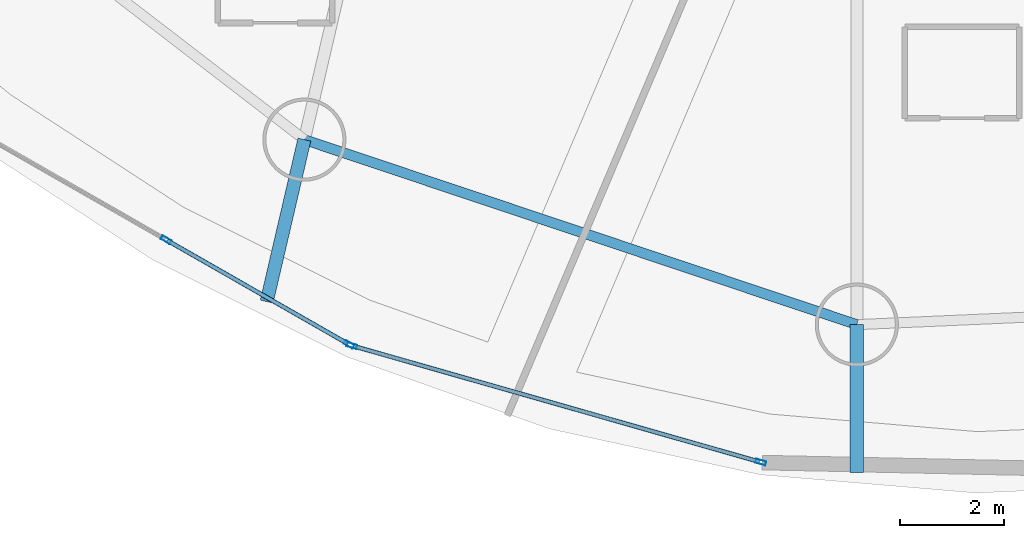
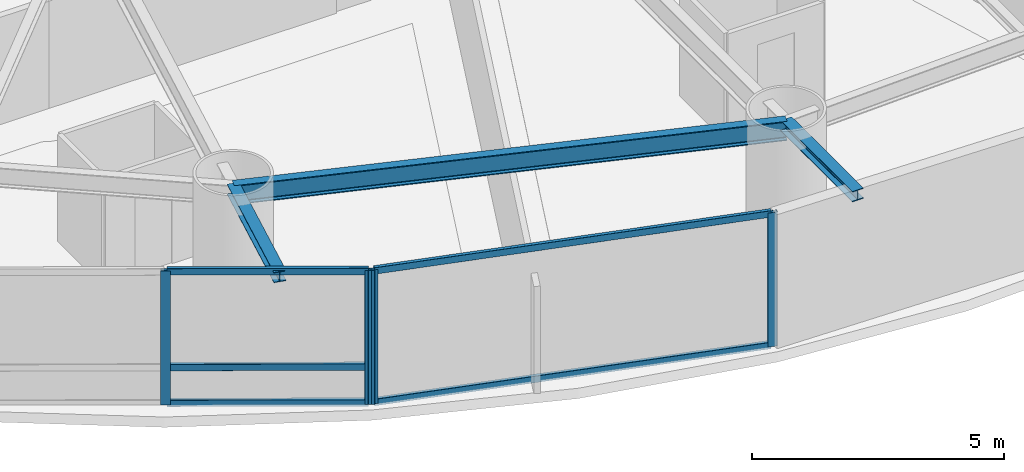
# One storey, part 3 of 23: 9 members, 3 beams, 2 elements without a shape of their own.
"""IFC4 building model written with IfcOpenShell, lengths in metres."""

from ifc_helpers import new_model, si_unit, direction, frame, origin, origin_2d, place, context, subcontext, project, spatial, hollow_rectangle, i_section, extrude, material, layer, layer_set, material_profile, profile_set, type_object, element, aggregate, save


model = new_model("IFC4")

# Units and contexts
model_context = context("Model", 3, precision=1e-05, world=origin(), true_north=direction((0.0, 1.0)))
body_context = subcontext(model_context, "Body", "Model", "MODEL_VIEW")
ifc_project = project(units=[si_unit("LENGTHUNIT", "METRE"), si_unit("AREAUNIT", "SQUARE_METRE"), si_unit("VOLUMEUNIT", "CUBIC_METRE"), si_unit("PLANEANGLEUNIT", "RADIAN"), si_unit("MASSUNIT", "GRAM", prefix="KILO")], contexts=[model_context])

# Site, building, storey
site_placement = place(None, origin())
site = spatial("IfcSite", under=ifc_project, at=site_placement, CompositionType="ELEMENT")
building_placement = place(site_placement, origin())
building = spatial("IfcBuilding", under=site, at=building_placement, Name="Bramvorn Convention Spire", CompositionType="ELEMENT")
storey_placement = place(building_placement, frame((0.0, 0.0, 69.39990234375)))
storey = spatial("IfcBuildingStorey", under=building, at=storey_placement, Name="L15", CompositionType="ELEMENT", Elevation=69.39990234375)

# Beams
ifc_material_1 = material(Name="Steel CSA G40.21 Grade 350 (350W)", Category="steel")
ifc_material_profile_1 = material_profile(ifc_material_1, i_section(OverallWidth=0.25390625, OverallDepth=0.2529296875, WebThickness=0.008544921875, FlangeThickness=0.01416015625, FilletRadius=0.011962890625, at=origin_2d()))
ifc_profile_set_1 = profile_set([ifc_material_profile_1], Name="Steel CSA G40.21 Grade 350 (350W) - W250X73")
beam_type_1 = type_object("IfcBeamType", Name="BM-W250X73", PredefinedType="BEAM", material=ifc_profile_set_1)
beam_1_placement = place(storey_placement, frame((24.40966796875, 8.490966796875, 3.12353515625), z_axis=(-0.226597657663, -0.973988450415, 0.0), x_axis=(0.973988450415, -0.226597657663, 0.0)))
element("IfcBeam", 1, at=beam_1_placement, inside=storey, type_object=beam_type_1, Name="L15 slab-edge cantilever tip beam MC12", PredefinedType="BEAM", context=body_context, shape_type="SweptSolid", body=[
    extrude(i_section(OverallWidth=0.25390625, OverallDepth=0.2529296875, WebThickness=0.008544921875, FlangeThickness=0.01416015625, FilletRadius=0.011962890625, at=origin_2d()), origin(), (0.0, 0.0, 1.0), 3.199951171875),
])
beam_2_placement = place(storey_placement, frame((35.0390625, 4.93115234375, 3.12353515625), z_axis=(0.0, -1.0, 0.0), x_axis=(1.0, 0.0, 0.0)))
element("IfcBeam", 2, at=beam_2_placement, inside=storey, type_object=beam_type_1, Name="L15 slab-edge cantilever tip beam MC13", PredefinedType="BEAM", context=body_context, shape_type="SweptSolid", body=[
    extrude(i_section(OverallWidth=0.25390625, OverallDepth=0.2529296875, WebThickness=0.008544921875, FlangeThickness=0.01416015625, FilletRadius=0.011962890625, at=origin_2d()), origin(), (0.0, 0.0, 1.0), 2.848876953125),
])
ifc_material_profile_2 = material_profile(ifc_material_1, i_section(OverallWidth=0.194091796875, OverallDepth=0.468994140625, WebThickness=0.0126953125, FlangeThickness=0.0205078125, FilletRadius=0.01806640625, at=origin_2d()))
ifc_profile_set_2 = profile_set([ifc_material_profile_2], Name="Steel CSA G40.21 Grade 350 (350W) - W460X106")
beam_type_2 = type_object("IfcBeamType", Name="BM-W460X106", PredefinedType="SPANDREL", material=ifc_profile_set_2)
beam_3_placement = place(storey_placement, frame((24.40966796875, 8.490966796875, 3.015625), z_axis=(0.948235872727, -0.317566890078, 0.0), x_axis=(0.317566890078, 0.948235872727, 0.0)))
element("IfcBeam", 3, at=beam_3_placement, inside=storey, type_object=beam_type_2, Name="L15 mega-column ring beam 12", PredefinedType="SPANDREL", context=body_context, shape_type="SweptSolid", body=[
    extrude(i_section(OverallWidth=0.194091796875, OverallDepth=0.468994140625, WebThickness=0.0126953125, FlangeThickness=0.0205078125, FilletRadius=0.01806640625, at=origin_2d()), origin(), (0.0, 0.0, 1.0), 11.209716796875),
])

# Curtain wall, members
ifc_material_2 = material(Name="Anodised Bronze Unitised Curtain Wall", Category="aluminium")
ifc_layer = layer(ifc_material_2, 0.179931640625)
ifc_layer_set = layer_set([ifc_layer], Name="Anodised Bronze Unitised Curtain Wall - CW-HTL-FRIT")
curtain_wall_type = type_object("IfcCurtainWallType", Name="CW-HTL-FRIT", PredefinedType="USERDEFINED", material=ifc_layer_set)
curtain_wall_1_placement = place(storey_placement, origin())
curtain_wall_1 = element("IfcCurtainWall", 4, at=curtain_wall_1_placement, inside=storey, type_object=curtain_wall_type, Name="L15 fritted glass curtain wall 17", ObjectType="UNITISED CURTAIN WALL", PredefinedType="USERDEFINED")
ifc_material_3 = material(Name="Anodised Bronze Aluminium 6063-T6", Category="aluminium")
ifc_material_profile_3 = material_profile(ifc_material_3, hollow_rectangle(XDim=0.080078125, YDim=0.199951171875, WallThickness=0.00390625, InnerFilletRadius=0.0009765625, OuterFilletRadius=0.00390625, at=origin_2d()))
ifc_profile_set_3 = profile_set([ifc_material_profile_3], Name="Anodised Bronze Aluminium 6063-T6 - CWM80X200")
member_type_1 = type_object("IfcMemberType", Name="CW-MUL-180", PredefinedType="MULLION", material=ifc_profile_set_3)
member_1_placement = place(storey_placement, frame((25.26806640625, 4.55029296875, 0.0), z_axis=(0.0, 0.0, 1.0), x_axis=(-0.496597537996, -0.867980924477, 0.0)))
member_1 = element("IfcMember", 5, at=member_1_placement, type_object=member_type_1, Name="CW2 mullion 1", PredefinedType="MULLION", context=body_context, shape_type="SweptSolid", body=[
    extrude(hollow_rectangle(XDim=0.080078125, YDim=0.199951171875, WallThickness=0.00390625, InnerFilletRadius=0.0009765625, OuterFilletRadius=0.00390625, at=origin_2d()), origin(), (0.0, 0.0, 1.0), 3.25),
])
member_2_placement = place(storey_placement, frame((21.748046875, 6.564208984375, 0.0), z_axis=(0.0, 0.0, 1.0), x_axis=(-0.496597537996, -0.867980924477, 0.0)))
member_2 = element("IfcMember", 6, at=member_2_placement, type_object=member_type_1, Name="CW2 mullion 2", PredefinedType="MULLION", context=body_context, shape_type="SweptSolid", body=[
    extrude(hollow_rectangle(XDim=0.080078125, YDim=0.199951171875, WallThickness=0.00390625, InnerFilletRadius=0.0009765625, OuterFilletRadius=0.00390625, at=origin_2d()), origin(), (0.0, 0.0, 1.0), 3.25),
])

curtain_wall_2_placement = place(storey_placement, origin())
curtain_wall_2 = element("IfcCurtainWall", 7, at=curtain_wall_2_placement, inside=storey, type_object=curtain_wall_type, Name="L15 fritted glass curtain wall 18", ObjectType="UNITISED CURTAIN WALL", PredefinedType="USERDEFINED")
member_3_placement = place(storey_placement, frame((33.191162109375, 2.284912109375, 0.0), z_axis=(0.0, 0.0, 1.0), x_axis=(-0.274080031786, -0.96170688683, 0.0)))
member_3 = element("IfcMember", 8, at=member_3_placement, type_object=member_type_1, Name="CW2 mullion 1", PredefinedType="MULLION", context=body_context, shape_type="SweptSolid", body=[
    extrude(hollow_rectangle(XDim=0.080078125, YDim=0.199951171875, WallThickness=0.00390625, InnerFilletRadius=0.0009765625, OuterFilletRadius=0.00390625, at=origin_2d()), origin(), (0.0, 0.0, 1.0), 3.25),
])
member_4_placement = place(storey_placement, frame((25.322998046875, 4.527099609375, 0.0), z_axis=(0.0, 0.0, 1.0), x_axis=(-0.274080031786, -0.96170688683, 0.0)))
member_4 = element("IfcMember", 9, at=member_4_placement, type_object=member_type_1, Name="CW2 mullion 2", PredefinedType="MULLION", context=body_context, shape_type="SweptSolid", body=[
    extrude(hollow_rectangle(XDim=0.080078125, YDim=0.199951171875, WallThickness=0.00390625, InnerFilletRadius=0.0009765625, OuterFilletRadius=0.00390625, at=origin_2d()), origin(), (0.0, 0.0, 1.0), 3.25),
])

# Member
ifc_material_profile_4 = material_profile(ifc_material_3, hollow_rectangle(XDim=0.080078125, YDim=0.159912109375, WallThickness=0.00390625, InnerFilletRadius=0.0009765625, OuterFilletRadius=0.00390625, at=origin_2d()))
ifc_profile_set_4 = profile_set([ifc_material_profile_4], Name="Anodised Bronze Aluminium 6063-T6 - CWT80X160")
member_type_2 = type_object("IfcMemberType", Name="CW-TRN-150", PredefinedType="USERDEFINED", material=ifc_profile_set_4)
member_5_placement = place(storey_placement, frame((25.241943359375, 4.565185546875, 0.030029296875), z_axis=(-0.8679684963, 0.496619260028, 0.0), x_axis=(-0.496619260028, -0.8679684963, 0.0)))
member_5 = element("IfcMember", 10, at=member_5_placement, type_object=member_type_2, Name="CW2 transom 1.1", ObjectType="TRANSOM", PredefinedType="USERDEFINED", context=body_context, shape_type="SweptSolid", body=[
    extrude(hollow_rectangle(XDim=0.080078125, YDim=0.159912109375, WallThickness=0.00390625, InnerFilletRadius=0.0009765625, OuterFilletRadius=0.00390625, at=origin_2d()), origin(), (0.0, 0.0, 1.0), 3.995361328125),
])

member_6_placement = place(storey_placement, frame((25.241943359375, 4.565185546875, 0.900146484375), z_axis=(-0.8679684963, 0.496619260028, 0.0), x_axis=(-0.496619260028, -0.8679684963, 0.0)))
member_6 = element("IfcMember", 11, at=member_6_placement, type_object=member_type_2, Name="CW2 transom 1.2", ObjectType="TRANSOM", PredefinedType="USERDEFINED", context=body_context, shape_type="SweptSolid", body=[
    extrude(hollow_rectangle(XDim=0.080078125, YDim=0.159912109375, WallThickness=0.00390625, InnerFilletRadius=0.0009765625, OuterFilletRadius=0.00390625, at=origin_2d()), origin(), (0.0, 0.0, 1.0), 3.995361328125),
])

member_7_placement = place(storey_placement, frame((25.241943359375, 4.565185546875, 3.22021484375), z_axis=(-0.8679684963, 0.496619260028, 0.0), x_axis=(-0.496619260028, -0.8679684963, 0.0)))
member_7 = element("IfcMember", 12, at=member_7_placement, type_object=member_type_2, Name="CW2 transom 1.3", ObjectType="TRANSOM", PredefinedType="USERDEFINED", context=body_context, shape_type="SweptSolid", body=[
    extrude(hollow_rectangle(XDim=0.080078125, YDim=0.159912109375, WallThickness=0.00390625, InnerFilletRadius=0.0009765625, OuterFilletRadius=0.00390625, at=origin_2d()), origin(), (0.0, 0.0, 1.0), 3.995361328125),
])

aggregate(curtain_wall_1, [member_1, member_2, member_5, member_6, member_7])

member_8_placement = place(storey_placement, frame((33.162109375, 2.29296875, 0.030029296875), z_axis=(-0.96170071456, 0.274101688455, 0.0), x_axis=(-0.274101688455, -0.96170071456, 0.0)))
member_8 = element("IfcMember", 13, at=member_8_placement, type_object=member_type_2, Name="CW2 transom 1.1", ObjectType="TRANSOM", PredefinedType="USERDEFINED", context=body_context, shape_type="SweptSolid", body=[
    extrude(hollow_rectangle(XDim=0.080078125, YDim=0.159912109375, WallThickness=0.00390625, InnerFilletRadius=0.0009765625, OuterFilletRadius=0.00390625, at=origin_2d()), origin(), (0.0, 0.0, 1.0), 8.121337890625),
])

member_9_placement = place(storey_placement, frame((33.162109375, 2.29296875, 3.22021484375), z_axis=(-0.96170071456, 0.274101688455, 0.0), x_axis=(-0.274101688455, -0.96170071456, 0.0)))
member_9 = element("IfcMember", 14, at=member_9_placement, type_object=member_type_2, Name="CW2 transom 1.2", ObjectType="TRANSOM", PredefinedType="USERDEFINED", context=body_context, shape_type="SweptSolid", body=[
    extrude(hollow_rectangle(XDim=0.080078125, YDim=0.159912109375, WallThickness=0.00390625, InnerFilletRadius=0.0009765625, OuterFilletRadius=0.00390625, at=origin_2d()), origin(), (0.0, 0.0, 1.0), 8.121337890625),
])

aggregate(curtain_wall_2, [member_3, member_4, member_8, member_9])

save(model, "model.ifc")
